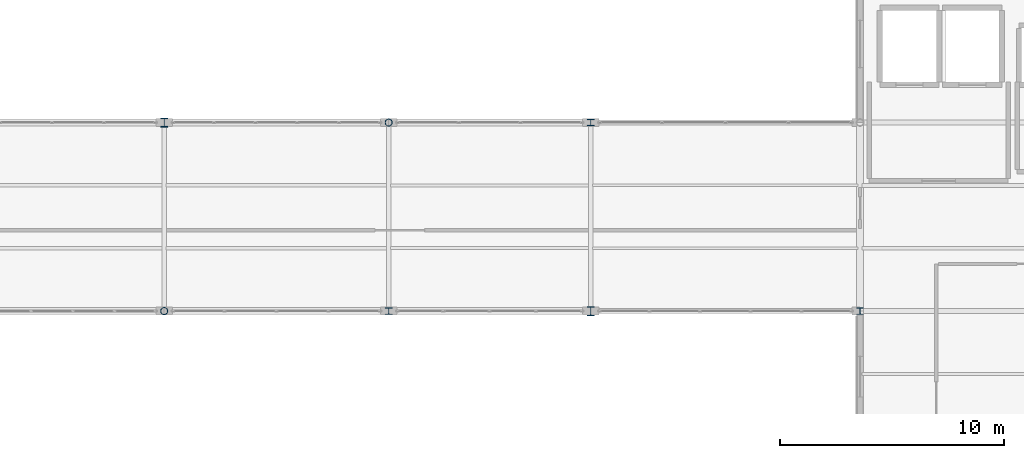
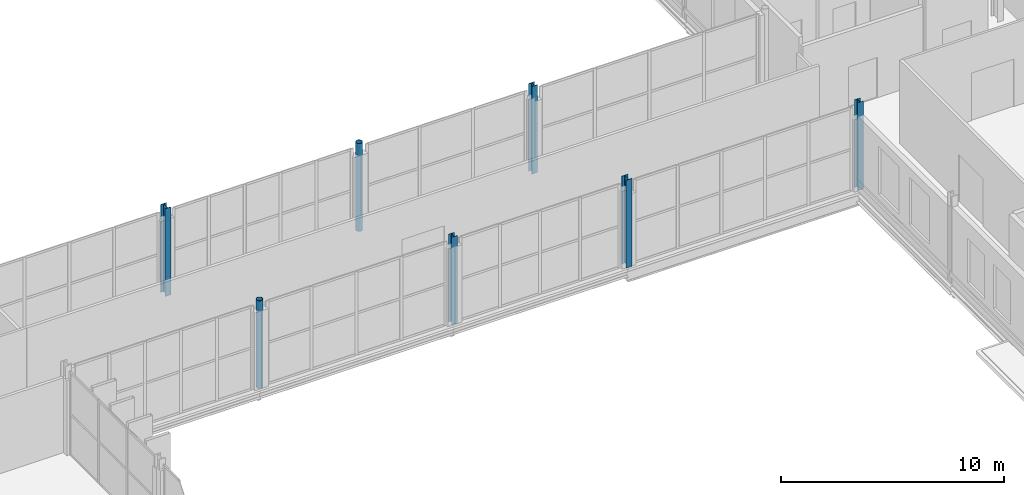
# One storey, part 12 of 120: 7 columns.
"""IFC4 building model written with IfcOpenShell, lengths in metres."""

from ifc_helpers import new_model, si_unit, direction, frame, origin, origin_2d, place, context, subcontext, project, spatial, hollow_circle, i_section, extrude, material, material_profile, profile_set, type_object, element, save


model = new_model("IFC4")

# Units and contexts
model_context = context("Model", 3, precision=1e-05, world=origin(), true_north=direction((0.0, 1.0)))
body_context = subcontext(model_context, "Body", "Model", "MODEL_VIEW")
ifc_project = project(units=[si_unit("LENGTHUNIT", "METRE"), si_unit("AREAUNIT", "SQUARE_METRE"), si_unit("VOLUMEUNIT", "CUBIC_METRE"), si_unit("PLANEANGLEUNIT", "RADIAN"), si_unit("MASSUNIT", "GRAM", prefix="KILO")], contexts=[model_context])

# Site, building, storey
site_placement = place(None, origin())
site = spatial("IfcSite", under=ifc_project, at=site_placement, CompositionType="ELEMENT")
building_placement = place(site_placement, origin())
building = spatial("IfcBuilding", under=site, at=building_placement, Name="Vekula Escarpment Museum", CompositionType="ELEMENT")
storey_placement = place(building_placement, frame((0.0, 0.0, 13.199951171875)))
storey = spatial("IfcBuildingStorey", under=building, at=storey_placement, Name="L03", CompositionType="ELEMENT", Elevation=13.199951171875)

# Columns
ifc_material_1 = material(Name="Steel S355", Category="steel")
ifc_material_profile_1 = material_profile(ifc_material_1, hollow_circle(Radius=0.161865234375, WallThickness=0.01611328125, at=origin_2d()), Name="CHS 323.9x16")
ifc_profile_set_1 = profile_set([ifc_material_profile_1], Name="Steel S355")
column_type_1 = type_object("IfcColumnType", Name="COL-S-CHS323", PredefinedType="COLUMN", material=ifc_profile_set_1)
for number, where, z_axis, x_axis, name in (
    (1, (136.0, 68.0, 0.0), (0.0, 0.0, 1.0), (1.0, 0.0, 0.0), "Column L03 (136.0,68.0)"),
    (2, (146.0, 76.39990234375, 0.0), (0.0, 0.0, 1.0), (1.0, 0.0, 0.0), "Column L03 (146.0,76.4)"),
):
    element("IfcColumn", number, at=place(storey_placement, frame(where, z_axis=z_axis, x_axis=x_axis)), inside=storey, type_object=column_type_1, Name=name, PredefinedType="COLUMN", context=body_context, shape_type="SweptSolid", body=[
        extrude(hollow_circle(Radius=0.161865234375, WallThickness=0.01611328125, at=origin_2d()), origin(), (0.0, 0.0, 1.0), 4.800048828125),
    ])
ifc_material_2 = material(Name="Steel S355", Category="steel")
ifc_material_profile_2 = material_profile(ifc_material_2, i_section(OverallWidth=0.300048828125, OverallDepth=0.2900390625, WebThickness=0.008544921875, FlangeThickness=0.013916015625, FilletRadius=0.027099609375, at=origin_2d()), Name="HEA 300")
ifc_profile_set_2 = profile_set([ifc_material_profile_2], Name="Steel S355")
column_type_2 = type_object("IfcColumnType", Name="COL-S-HEA300", PredefinedType="COLUMN", material=ifc_profile_set_2)
for number, where, z_axis, x_axis, name in (
    (3, (146.0, 68.0, 0.0), (0.0, 0.0, 1.0), (1.0, 0.0, 0.0), "Column L03 (146.0,68.0)"),
    (4, (155.0, 76.39990234375, 0.0), (0.0, 0.0, 1.0), (1.0, 0.0, 0.0), "Column L03 (155.0,76.4)"),
    (5, (167.0, 68.0, 0.0), (0.0, 0.0, 1.0), (1.0, 0.0, 0.0), "Column L03 (167.0,68.0)"),
):
    element("IfcColumn", number, at=place(storey_placement, frame(where, z_axis=z_axis, x_axis=x_axis)), inside=storey, type_object=column_type_2, Name=name, PredefinedType="COLUMN", context=body_context, shape_type="SweptSolid", body=[
        extrude(i_section(OverallWidth=0.300048828125, OverallDepth=0.2900390625, WebThickness=0.008544921875, FlangeThickness=0.013916015625, FilletRadius=0.027099609375, at=origin_2d()), origin(), (0.0, 0.0, 1.0), 4.800048828125),
    ])
ifc_material_3 = material(Name="Steel S355", Category="steel")
ifc_material_profile_3 = material_profile(ifc_material_3, i_section(OverallWidth=0.300048828125, OverallDepth=0.39990234375, WebThickness=0.013427734375, FlangeThickness=0.02392578125, FilletRadius=0.027099609375, at=origin_2d()), Name="HEB 400")
ifc_profile_set_3 = profile_set([ifc_material_profile_3], Name="Steel S355")
column_type_3 = type_object("IfcColumnType", Name="COL-S-HEB400", PredefinedType="COLUMN", material=ifc_profile_set_3)
for number, where, z_axis, x_axis, name in (
    (6, (136.0, 76.39990234375, 0.0), (0.0, 0.0, 1.0), (1.0, 0.0, 0.0), "Column L03 (136.0,76.4)"),
    (7, (155.0, 68.0, 0.0), (0.0, 0.0, 1.0), (1.0, 0.0, 0.0), "Column L03 (155.0,68.0)"),
):
    element("IfcColumn", number, at=place(storey_placement, frame(where, z_axis=z_axis, x_axis=x_axis)), inside=storey, type_object=column_type_3, Name=name, PredefinedType="COLUMN", context=body_context, shape_type="SweptSolid", body=[
        extrude(i_section(OverallWidth=0.300048828125, OverallDepth=0.39990234375, WebThickness=0.013427734375, FlangeThickness=0.02392578125, FilletRadius=0.027099609375, at=origin_2d()), origin(), (0.0, 0.0, 1.0), 4.800048828125),
    ])

save(model, "model.ifc")
